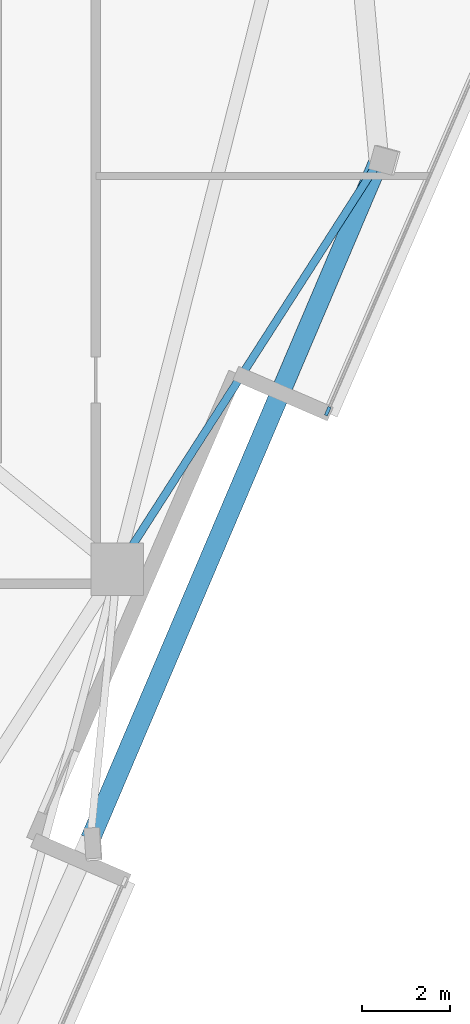
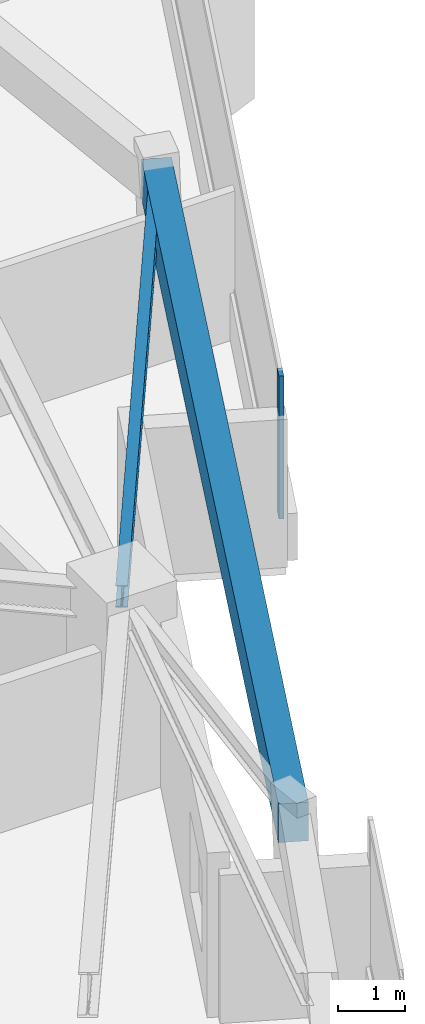
# One storey, part 3 of 10: 2 beams, 1 member, 1 element without a shape of its own.
"""IFC4 building model written with IfcOpenShell, lengths in metres."""

from ifc_helpers import new_model, si_unit, direction, frame, origin, origin_2d, place, context, subcontext, project, spatial, rectangle, i_section, extrude, material, layer, layer_set, material_profile, profile_set, type_object, element, aggregate, save


model = new_model("IFC4")

# Units and contexts
model_context = context("Model", 3, precision=1e-05, world=origin(), true_north=direction((0.0, 1.0)))
body_context = subcontext(model_context, "Body", "Model", "MODEL_VIEW")
ifc_project = project(units=[si_unit("LENGTHUNIT", "METRE"), si_unit("AREAUNIT", "SQUARE_METRE"), si_unit("VOLUMEUNIT", "CUBIC_METRE"), si_unit("PLANEANGLEUNIT", "RADIAN"), si_unit("MASSUNIT", "GRAM", prefix="KILO")], contexts=[model_context])

# Site, building, storey
site_placement = place(None, origin())
site = spatial("IfcSite", under=ifc_project, at=site_placement, CompositionType="ELEMENT")
building_placement = place(site_placement, origin())
building = spatial("IfcBuilding", under=site, at=building_placement, Name="Talyreon Biosciences Tower", CompositionType="ELEMENT")
storey_placement = place(building_placement, frame((0.0, 0.0, 260.800048828125)))
storey = spatial("IfcBuildingStorey", under=building, at=storey_placement, Name="L69", CompositionType="ELEMENT", Elevation=260.800048828125)

# Curtain wall, member
ifc_material_1 = material(Name="Thermally broken aluminium and low-E glazing", Category="aluminium")
ifc_layer = layer(ifc_material_1, 0.205078125)
ifc_layer_set = layer_set([ifc_layer], Name="Thermally broken aluminium and low-E glazing")
curtain_wall_type = type_object("IfcCurtainWallType", Name="CurtainWall_SkyGardenLoggia", PredefinedType="NOTDEFINED", material=ifc_layer_set)
curtain_wall_placement = place(storey_placement, origin())
curtain_wall = element("IfcCurtainWall", 1, at=curtain_wall_placement, inside=storey, type_object=curtain_wall_type, Name="L69 Unitised Curtain Wall FCW-L69-07", PredefinedType="NOTDEFINED")
ifc_material_2 = material(Name="Anodised thermally broken aluminium", Category="aluminium")
ifc_material_profile_1 = material_profile(ifc_material_2, rectangle(XDim=0.074951171875, YDim=0.2099609375, at=origin_2d()), Name="ALUM MULLION 75x210")
ifc_profile_set_1 = profile_set([ifc_material_profile_1], Name="Anodised thermally broken aluminium")
member_type = type_object("IfcMemberType", Name="CWMullion_75x210", PredefinedType="MULLION", material=ifc_profile_set_1)
member_placement = place(storey_placement, frame((81.88671875, 62.4833984375, 0.81005859375), z_axis=(0.0, 0.0, 1.0), x_axis=(0.917723960256, -0.397218746753, 0.0)))
member = element("IfcMember", 2, at=member_placement, type_object=member_type, Name="CW7 mullion 2", PredefinedType="MULLION", context=body_context, shape_type="SweptSolid", body=[
    extrude(rectangle(XDim=0.074951171875, YDim=0.2099609375, at=origin_2d()), origin(), (0.0, 0.0, 1.0), 2.58984375),
])
aggregate(curtain_wall, [member])

# Beams
ifc_material_3 = material(Name="Precast concrete C45/55", Category="concrete")
ifc_material_profile_2 = material_profile(ifc_material_3, rectangle(XDim=0.449951171875, YDim=0.699951171875, at=origin_2d()), Name="RCB 450x700")
ifc_profile_set_2 = profile_set([ifc_material_profile_2], Name="Precast concrete C45/55")
beam_type_1 = type_object("IfcBeamType", Name="ExpressedSpandrel_450x700", PredefinedType="SPANDREL", material=ifc_profile_set_2)
beam_1_placement = place(storey_placement, frame((76.477783203125, 52.7333984375, 3.050048828125), z_axis=(0.391633727383, 0.920121200482, 0.0), x_axis=(-0.920121200482, 0.391633727383, 0.0)))
element("IfcBeam", 3, at=beam_1_placement, inside=storey, type_object=beam_type_1, Name="L69 Expressed Horizontal Concrete Spandrel 03", PredefinedType="SPANDREL", context=body_context, shape_type="SweptSolid", body=[
    extrude(rectangle(XDim=0.449951171875, YDim=0.699951171875, at=origin_2d()), origin(), (0.0, 0.0, 1.0), 16.794189453125),
])
ifc_material_4 = material(Name="Steel SM355", Category="steel")
ifc_material_profile_3 = material_profile(ifc_material_4, i_section(OverallWidth=0.179931640625, OverallDepth=0.39990234375, WebThickness=0.008544921875, FlangeThickness=0.013427734375, FilletRadius=0.02099609375, at=origin_2d()), Name="IPE400")
ifc_profile_set_3 = profile_set([ifc_material_profile_3], Name="Steel SM355")
beam_type_2 = type_object("IfcBeamType", Name="SteelJoist_IPE400", PredefinedType="JOIST", material=ifc_profile_set_3)
beam_2_placement = place(storey_placement, frame((77.086181640625, 58.88037109375, 3.199951171875), z_axis=(0.539895655291, 0.841731953414, 0.0), x_axis=(-0.841731953414, 0.539895655291, 0.0)))
element("IfcBeam", 4, at=beam_2_placement, inside=storey, type_object=beam_type_2, Name="L69 Radial Composite Floor Joist PC-SE2", PredefinedType="JOIST", context=body_context, shape_type="SweptSolid", body=[
    extrude(i_section(OverallWidth=0.179931640625, OverallDepth=0.39990234375, WebThickness=0.008544921875, FlangeThickness=0.013427734375, FilletRadius=0.02099609375, at=origin_2d()), origin(), (0.0, 0.0, 1.0), 11.055419921875),
])

save(model, "model.ifc")
